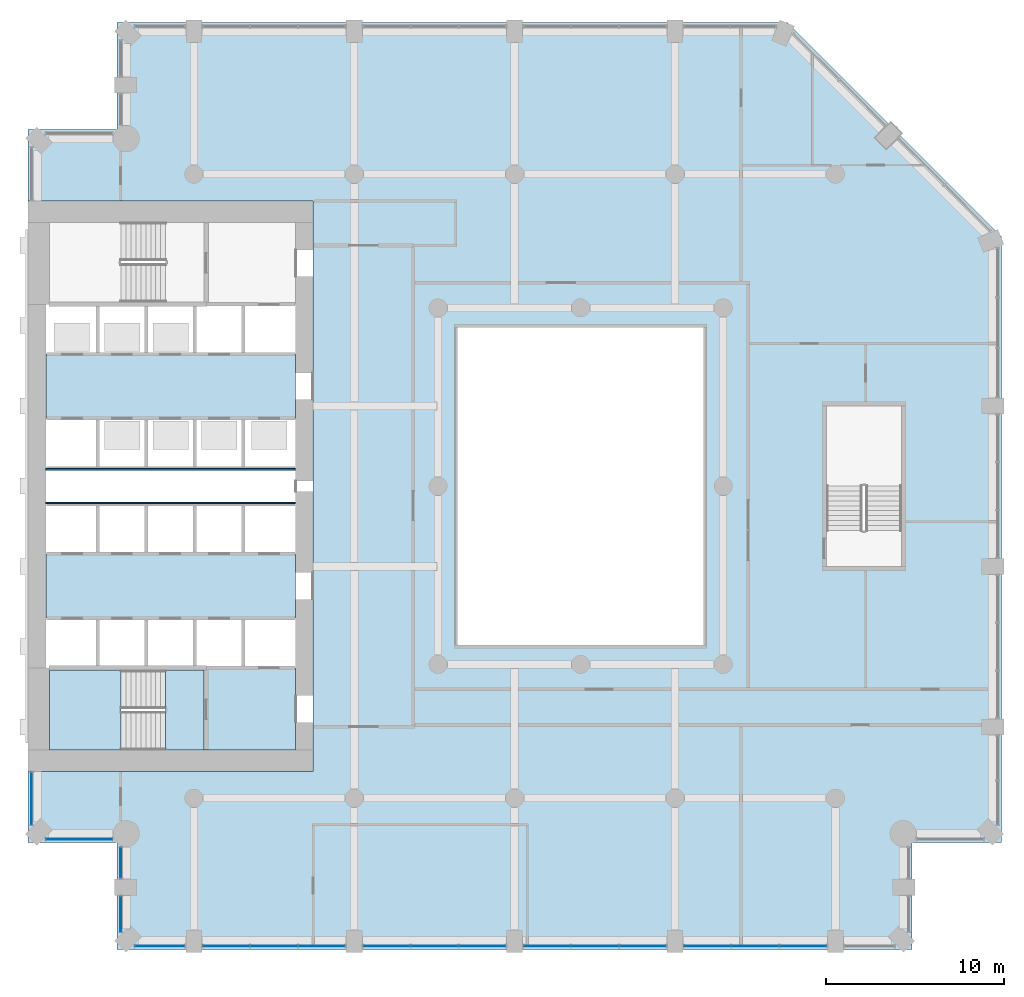
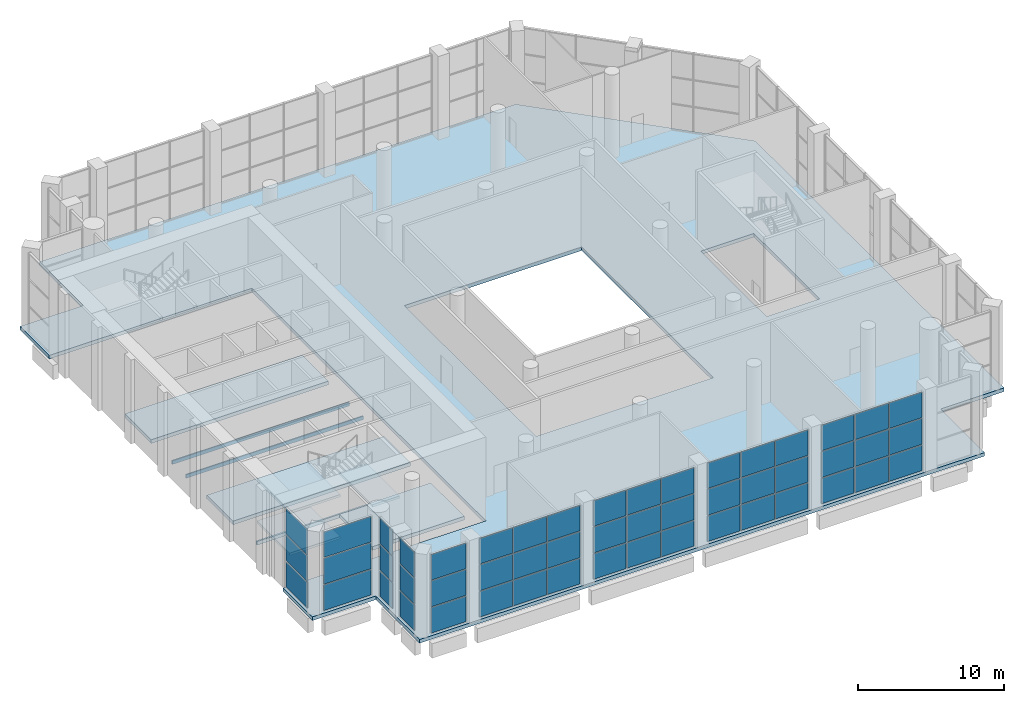
# One storey, part 9 of 22: 51 plates, 10 slabs, 10 elements without a shape of their own.
"""IFC4 building model written with IfcOpenShell, lengths in metres."""

from ifc_helpers import new_model, si_unit, direction, frame, origin, origin_2d, place, context, subcontext, project, spatial, polyline, rectangle, outline, extrude, material, layer, layer_set, type_object, element, aggregate, save


model = new_model("IFC4")

# Units and contexts
model_context = context("Model", 3, precision=1e-05, world=origin(), true_north=direction((0.0, 1.0)))
body_context = subcontext(model_context, "Body", "Model", "MODEL_VIEW")
ifc_project = project(units=[si_unit("LENGTHUNIT", "METRE"), si_unit("AREAUNIT", "SQUARE_METRE"), si_unit("VOLUMEUNIT", "CUBIC_METRE"), si_unit("PLANEANGLEUNIT", "RADIAN"), si_unit("MASSUNIT", "GRAM", prefix="KILO")], contexts=[model_context])

# Site, building, storey
site_placement = place(None, origin())
site = spatial("IfcSite", under=ifc_project, at=site_placement, CompositionType="ELEMENT")
building_placement = place(site_placement, origin())
building = spatial("IfcBuilding", under=site, at=building_placement, Name="Cypress Arch Tower", CompositionType="ELEMENT")
storey_placement = place(building_placement, frame((0.0, 0.0, 145.5)))
storey = spatial("IfcBuildingStorey", under=building, at=storey_placement, Name="L32", CompositionType="ELEMENT", Elevation=145.5)

# Slabs
ifc_material_1 = material(Name="Concrete C40/50", Category="concrete")
ifc_layer_1 = layer(ifc_material_1, 0.300048828125)
ifc_layer_set_1 = layer_set([ifc_layer_1], Name="Core floor CF300")
slab_type_1 = type_object("IfcSlabType", Name="Core floor CF300", PredefinedType="FLOOR", material=ifc_layer_set_1)
slab_1_placement = place(storey_placement, frame((0.0, 0.0, -0.300048828125)))
element("IfcSlab", 1, at=slab_1_placement, inside=storey, type_object=slab_type_1, Name="Core floor", PredefinedType="FLOOR", context=body_context, shape_type="SweptSolid", body=[
    extrude(outline(polyline([(-20.125, -14.800048828125), (-15.0, -14.800048828125), (-15.0, -10.199951171875), (-17.919921875, -10.199951171875), (-20.639892578125, -10.199951171875), (-23.360107421875, -10.199951171875), (-26.080078125, -10.199951171875), (-28.800048828125, -10.199951171875), (-28.800048828125, -10.324951171875), (-22.27490234375, -10.324951171875), (-20.125, -10.324951171875), (-20.125, -14.800048828125)])), origin(), (0.0, 0.0, 1.0), 0.300048828125),
])
slab_2_placement = place(storey_placement, frame((0.0, 0.0, -0.300048828125)))
element("IfcSlab", 2, at=slab_2_placement, inside=storey, type_object=slab_type_1, Name="Core floor", PredefinedType="FLOOR", context=body_context, shape_type="SweptSolid", body=[
    extrude(outline(polyline([(-29.0, -3.800048828125), (-29.0, -7.39990234375), (-26.080078125, -7.39990234375), (-23.360107421875, -7.39990234375), (-20.639892578125, -7.39990234375), (-17.919921875, -7.39990234375), (-15.0, -7.39990234375), (-15.0, -3.800048828125), (-17.919921875, -3.800048828125), (-20.639892578125, -3.800048828125), (-23.360107421875, -3.800048828125), (-26.080078125, -3.800048828125), (-29.0, -3.800048828125)])), origin(), (0.0, 0.0, 1.0), 0.300048828125),
])
slab_3_placement = place(storey_placement, frame((0.0, 0.0, -0.300048828125)))
element("IfcSlab", 3, at=slab_3_placement, inside=storey, type_object=slab_type_1, Name="Core floor", PredefinedType="FLOOR", context=body_context, shape_type="SweptSolid", body=[
    extrude(outline(polyline([(-17.919921875, 1.0), (-15.39990234375, 1.0), (-15.0, 1.0), (-15.0, 0.89990234375), (-28.60009765625, 0.89990234375), (-29.0, 0.89990234375), (-29.0, 1.0), (-28.60009765625, 1.0), (-26.080078125, 1.0), (-23.360107421875, 1.0), (-20.639892578125, 1.0), (-17.919921875, 1.0)])), origin(), (0.0, 0.0, 1.0), 0.300048828125),
])
slab_4_placement = place(storey_placement, frame((0.0, 0.0, -0.300048828125)))
element("IfcSlab", 4, at=slab_4_placement, inside=storey, type_object=slab_type_1, Name="Core floor", PredefinedType="FLOOR", context=body_context, shape_type="SweptSolid", body=[
    extrude(outline(polyline([(-29.0, 7.39990234375), (-29.0, 3.800048828125), (-26.080078125, 3.800048828125), (-23.360107421875, 3.800048828125), (-20.639892578125, 3.800048828125), (-17.919921875, 3.800048828125), (-15.0, 3.800048828125), (-15.0, 7.39990234375), (-17.919921875, 7.39990234375), (-20.639892578125, 7.39990234375), (-23.360107421875, 7.39990234375), (-26.080078125, 7.39990234375), (-29.0, 7.39990234375)])), origin(), (0.0, 0.0, 1.0), 0.300048828125),
])
slab_5_placement = place(storey_placement, frame((0.0, 0.0, -0.300048828125)))
element("IfcSlab", 5, at=slab_5_placement, inside=storey, type_object=slab_type_1, Name="Core floor", PredefinedType="FLOOR", context=body_context, shape_type="SweptSolid", body=[
    extrude(outline(polyline([(-22.27490234375, -10.324951171875), (-22.27490234375, -14.800048828125), (-20.125, -14.800048828125), (-20.125, -10.324951171875), (-22.27490234375, -10.324951171875)])), origin(), (0.0, 0.0, 1.0), 0.300048828125),
])
slab_6_placement = place(storey_placement, frame((0.0, 0.0, -0.300048828125)))
element("IfcSlab", 6, at=slab_6_placement, inside=storey, type_object=slab_type_1, Name="Core floor", PredefinedType="FLOOR", context=body_context, shape_type="SweptSolid", body=[
    extrude(outline(polyline([(-20.639892578125, -1.0), (-23.360107421875, -1.0), (-26.080078125, -1.0), (-28.60009765625, -1.0), (-29.0, -1.0), (-29.0, -0.89990234375), (-28.60009765625, -0.89990234375), (-15.39990234375, -0.89990234375), (-15.0, -0.89990234375), (-15.0, -1.0), (-15.39990234375, -1.0), (-17.919921875, -1.0), (-20.639892578125, -1.0)])), origin(), (0.0, 0.0, 1.0), 0.300048828125),
])

# Curtain wall, plates
ifc_material_2 = material(Name="Anodised aluminium, bronze finish, solar control laminated double glazing", Category="aluminium")
curtain_wall_type = type_object("IfcCurtainWallType", Name="Curtain wall CW3 sky lobby glazing", PredefinedType="NOTDEFINED", material=ifc_material_2)
curtain_wall_1_placement = place(storey_placement, origin())
curtain_wall_1 = element("IfcCurtainWall", 7, at=curtain_wall_1_placement, inside=storey, type_object=curtain_wall_type, Name="Curtain wall L32 A00.0.1.1", PredefinedType="NOTDEFINED")
ifc_material_3 = material(Name="Solar control laminated double glazing", Category="glass")
ifc_layer_2 = layer(ifc_material_3, 0.0439453125)
ifc_layer_set_2 = layer_set([ifc_layer_2], Name="Glass panel CW3 44")
plate_type = type_object("IfcPlateType", Name="Glass panel CW3 44", PredefinedType="CURTAIN_PANEL", material=ifc_layer_set_2)
plate_1_placement = place(storey_placement, frame((-29.800048828125, -17.53173828125, 0.0751953125), z_axis=(0.0, 0.0, 1.0), x_axis=(0.0, -1.0, 0.0)))
plate_1 = element("IfcPlate", 8, at=plate_1_placement, type_object=plate_type, Name="CW3 panel 1.1", PredefinedType="CURTAIN_PANEL", context=body_context, shape_type="SweptSolid", body=[
    extrude(rectangle(XDim=2.91357421875, YDim=0.0439453125, at=origin_2d()), origin(), (0.0, 0.0, 1.0), 2.120849609375),
])
plate_2_placement = place(storey_placement, frame((-29.800048828125, -17.53173828125, 2.27099609375), z_axis=(0.0, 0.0, 1.0), x_axis=(0.0, -1.0, 0.0)))
plate_2 = element("IfcPlate", 9, at=plate_2_placement, type_object=plate_type, Name="CW3 panel 1.2", PredefinedType="CURTAIN_PANEL", context=body_context, shape_type="SweptSolid", body=[
    extrude(rectangle(XDim=2.91357421875, YDim=0.0439453125, at=origin_2d()), origin(), (0.0, 0.0, 1.0), 2.158447265625),
])
plate_3_placement = place(storey_placement, frame((-29.800048828125, -17.53173828125, 4.50439453125), z_axis=(0.0, 0.0, 1.0), x_axis=(0.0, -1.0, 0.0)))
plate_3 = element("IfcPlate", 10, at=plate_3_placement, type_object=plate_type, Name="CW3 panel 1.3", PredefinedType="CURTAIN_PANEL", context=body_context, shape_type="SweptSolid", body=[
    extrude(rectangle(XDim=2.91357421875, YDim=0.0439453125, at=origin_2d()), origin(), (0.0, 0.0, 1.0), 2.120849609375),
])
aggregate(curtain_wall_1, [plate_1, plate_2, plate_3])

curtain_wall_2_placement = place(storey_placement, origin())
curtain_wall_2 = element("IfcCurtainWall", 11, at=curtain_wall_2_placement, inside=storey, type_object=curtain_wall_type, Name="Curtain wall L32 A01.0.1", PredefinedType="NOTDEFINED")
plate_4_placement = place(storey_placement, frame((-27.13525390625, -19.800048828125, 0.0751953125), z_axis=(0.0, 0.0, 1.0), x_axis=(1.0, 0.0, 0.0)))
plate_4 = element("IfcPlate", 12, at=plate_4_placement, type_object=plate_type, Name="CW3 panel 1.1", PredefinedType="CURTAIN_PANEL", context=body_context, shape_type="SweptSolid", body=[
    extrude(rectangle(XDim=3.70654296875, YDim=0.0439453125, at=origin_2d()), origin(), (0.0, 0.0, 1.0), 2.120849609375),
])
plate_5_placement = place(storey_placement, frame((-27.13525390625, -19.800048828125, 2.27099609375), z_axis=(0.0, 0.0, 1.0), x_axis=(1.0, 0.0, 0.0)))
plate_5 = element("IfcPlate", 13, at=plate_5_placement, type_object=plate_type, Name="CW3 panel 1.2", PredefinedType="CURTAIN_PANEL", context=body_context, shape_type="SweptSolid", body=[
    extrude(rectangle(XDim=3.70654296875, YDim=0.0439453125, at=origin_2d()), origin(), (0.0, 0.0, 1.0), 2.158447265625),
])
plate_6_placement = place(storey_placement, frame((-27.13525390625, -19.800048828125, 4.50439453125), z_axis=(0.0, 0.0, 1.0), x_axis=(1.0, 0.0, 0.0)))
plate_6 = element("IfcPlate", 14, at=plate_6_placement, type_object=plate_type, Name="CW3 panel 1.3", PredefinedType="CURTAIN_PANEL", context=body_context, shape_type="SweptSolid", body=[
    extrude(rectangle(XDim=3.70654296875, YDim=0.0439453125, at=origin_2d()), origin(), (0.0, 0.0, 1.0), 2.120849609375),
])
aggregate(curtain_wall_2, [plate_4, plate_5, plate_6])

curtain_wall_3_placement = place(storey_placement, origin())
curtain_wall_3 = element("IfcCurtainWall", 15, at=curtain_wall_3_placement, inside=storey, type_object=curtain_wall_type, Name="Curtain wall L32 A02.0.1", PredefinedType="NOTDEFINED")
plate_7_placement = place(storey_placement, frame((-24.800048828125, -21.12841796875, 0.0751953125), z_axis=(0.0, 0.0, 1.0), x_axis=(0.0, -1.0, 0.0)))
plate_7 = element("IfcPlate", 16, at=plate_7_placement, type_object=plate_type, Name="CW3 panel 1.1", PredefinedType="CURTAIN_PANEL", context=body_context, shape_type="SweptSolid", body=[
    extrude(rectangle(XDim=1.693115234375, YDim=0.0439453125, at=origin_2d()), origin(), (0.0, 0.0, 1.0), 2.120849609375),
])
plate_8_placement = place(storey_placement, frame((-24.800048828125, -21.12841796875, 2.27099609375), z_axis=(0.0, 0.0, 1.0), x_axis=(0.0, -1.0, 0.0)))
plate_8 = element("IfcPlate", 17, at=plate_8_placement, type_object=plate_type, Name="CW3 panel 1.2", PredefinedType="CURTAIN_PANEL", context=body_context, shape_type="SweptSolid", body=[
    extrude(rectangle(XDim=1.693115234375, YDim=0.0439453125, at=origin_2d()), origin(), (0.0, 0.0, 1.0), 2.158447265625),
])
plate_9_placement = place(storey_placement, frame((-24.800048828125, -21.12841796875, 4.50439453125), z_axis=(0.0, 0.0, 1.0), x_axis=(0.0, -1.0, 0.0)))
plate_9 = element("IfcPlate", 18, at=plate_9_placement, type_object=plate_type, Name="CW3 panel 1.3", PredefinedType="CURTAIN_PANEL", context=body_context, shape_type="SweptSolid", body=[
    extrude(rectangle(XDim=1.693115234375, YDim=0.0439453125, at=origin_2d()), origin(), (0.0, 0.0, 1.0), 2.120849609375),
])
aggregate(curtain_wall_3, [plate_7, plate_8, plate_9])

curtain_wall_4_placement = place(storey_placement, origin())
curtain_wall_4 = element("IfcCurtainWall", 19, at=curtain_wall_4_placement, inside=storey, type_object=curtain_wall_type, Name="Curtain wall L32 A02.1.1", PredefinedType="NOTDEFINED")
plate_10_placement = place(storey_placement, frame((-24.800048828125, -24.0068359375, 0.0751953125), z_axis=(0.0, 0.0, 1.0), x_axis=(0.0, -1.0, 0.0)))
plate_10 = element("IfcPlate", 20, at=plate_10_placement, type_object=plate_type, Name="CW3 panel 1.1", PredefinedType="CURTAIN_PANEL", context=body_context, shape_type="SweptSolid", body=[
    extrude(rectangle(XDim=1.963623046875, YDim=0.0439453125, at=origin_2d()), origin(), (0.0, 0.0, 1.0), 2.120849609375),
])
plate_11_placement = place(storey_placement, frame((-24.800048828125, -24.0068359375, 2.27099609375), z_axis=(0.0, 0.0, 1.0), x_axis=(0.0, -1.0, 0.0)))
plate_11 = element("IfcPlate", 21, at=plate_11_placement, type_object=plate_type, Name="CW3 panel 1.2", PredefinedType="CURTAIN_PANEL", context=body_context, shape_type="SweptSolid", body=[
    extrude(rectangle(XDim=1.963623046875, YDim=0.0439453125, at=origin_2d()), origin(), (0.0, 0.0, 1.0), 2.158447265625),
])
plate_12_placement = place(storey_placement, frame((-24.800048828125, -24.0068359375, 4.50439453125), z_axis=(0.0, 0.0, 1.0), x_axis=(0.0, -1.0, 0.0)))
plate_12 = element("IfcPlate", 22, at=plate_12_placement, type_object=plate_type, Name="CW3 panel 1.3", PredefinedType="CURTAIN_PANEL", context=body_context, shape_type="SweptSolid", body=[
    extrude(rectangle(XDim=1.963623046875, YDim=0.0439453125, at=origin_2d()), origin(), (0.0, 0.0, 1.0), 2.120849609375),
])
aggregate(curtain_wall_4, [plate_10, plate_11, plate_12])

curtain_wall_5_placement = place(storey_placement, origin())
curtain_wall_5 = element("IfcCurtainWall", 23, at=curtain_wall_5_placement, inside=storey, type_object=curtain_wall_type, Name="Curtain wall L32 A03.0.1", PredefinedType="NOTDEFINED")
plate_13_placement = place(storey_placement, frame((-22.606689453125, -25.800048828125, 0.0751953125), z_axis=(0.0, 0.0, 1.0), x_axis=(1.0, 0.0, 0.0)))
plate_13 = element("IfcPlate", 24, at=plate_13_placement, type_object=plate_type, Name="CW3 panel 1.1", PredefinedType="CURTAIN_PANEL", context=body_context, shape_type="SweptSolid", body=[
    extrude(rectangle(XDim=2.763671875, YDim=0.0439453125, at=origin_2d()), origin(), (0.0, 0.0, 1.0), 2.120849609375),
])
plate_14_placement = place(storey_placement, frame((-22.606689453125, -25.800048828125, 2.27099609375), z_axis=(0.0, 0.0, 1.0), x_axis=(1.0, 0.0, 0.0)))
plate_14 = element("IfcPlate", 25, at=plate_14_placement, type_object=plate_type, Name="CW3 panel 1.2", PredefinedType="CURTAIN_PANEL", context=body_context, shape_type="SweptSolid", body=[
    extrude(rectangle(XDim=2.763671875, YDim=0.0439453125, at=origin_2d()), origin(), (0.0, 0.0, 1.0), 2.158447265625),
])
plate_15_placement = place(storey_placement, frame((-22.606689453125, -25.800048828125, 4.50439453125), z_axis=(0.0, 0.0, 1.0), x_axis=(1.0, 0.0, 0.0)))
plate_15 = element("IfcPlate", 26, at=plate_15_placement, type_object=plate_type, Name="CW3 panel 1.3", PredefinedType="CURTAIN_PANEL", context=body_context, shape_type="SweptSolid", body=[
    extrude(rectangle(XDim=2.763671875, YDim=0.0439453125, at=origin_2d()), origin(), (0.0, 0.0, 1.0), 2.120849609375),
])
aggregate(curtain_wall_5, [plate_13, plate_14, plate_15])

curtain_wall_6_placement = place(storey_placement, origin())
curtain_wall_6 = element("IfcCurtainWall", 27, at=curtain_wall_6_placement, inside=storey, type_object=curtain_wall_type, Name="Curtain wall L32 A03.1.1", PredefinedType="NOTDEFINED")
plate_16_placement = place(storey_placement, frame((-18.88134765625, -25.800048828125, 0.0751953125), z_axis=(0.0, 0.0, 1.0), x_axis=(1.0, 0.0, 0.0)))
plate_16 = element("IfcPlate", 28, at=plate_16_placement, type_object=plate_type, Name="CW3 panel 1.1", PredefinedType="CURTAIN_PANEL", context=body_context, shape_type="SweptSolid", body=[
    extrude(rectangle(XDim=2.58740234375, YDim=0.0439453125, at=origin_2d()), origin(), (0.0, 0.0, 1.0), 2.120849609375),
])
plate_17_placement = place(storey_placement, frame((-18.88134765625, -25.800048828125, 2.27099609375), z_axis=(0.0, 0.0, 1.0), x_axis=(1.0, 0.0, 0.0)))
plate_17 = element("IfcPlate", 29, at=plate_17_placement, type_object=plate_type, Name="CW3 panel 1.2", PredefinedType="CURTAIN_PANEL", context=body_context, shape_type="SweptSolid", body=[
    extrude(rectangle(XDim=2.58740234375, YDim=0.0439453125, at=origin_2d()), origin(), (0.0, 0.0, 1.0), 2.158447265625),
])
plate_18_placement = place(storey_placement, frame((-18.88134765625, -25.800048828125, 4.50439453125), z_axis=(0.0, 0.0, 1.0), x_axis=(1.0, 0.0, 0.0)))
plate_18 = element("IfcPlate", 30, at=plate_18_placement, type_object=plate_type, Name="CW3 panel 1.3", PredefinedType="CURTAIN_PANEL", context=body_context, shape_type="SweptSolid", body=[
    extrude(rectangle(XDim=2.58740234375, YDim=0.0439453125, at=origin_2d()), origin(), (0.0, 0.0, 1.0), 2.120849609375),
])
plate_19_placement = place(storey_placement, frame((-16.199951171875, -25.800048828125, 0.0751953125), z_axis=(0.0, 0.0, 1.0), x_axis=(1.0, 0.0, 0.0)))
plate_19 = element("IfcPlate", 31, at=plate_19_placement, type_object=plate_type, Name="CW3 panel 2.1", PredefinedType="CURTAIN_PANEL", context=body_context, shape_type="SweptSolid", body=[
    extrude(rectangle(XDim=2.625, YDim=0.0439453125, at=origin_2d()), origin(), (0.0, 0.0, 1.0), 2.120849609375),
])
plate_20_placement = place(storey_placement, frame((-16.199951171875, -25.800048828125, 2.27099609375), z_axis=(0.0, 0.0, 1.0), x_axis=(1.0, 0.0, 0.0)))
plate_20 = element("IfcPlate", 32, at=plate_20_placement, type_object=plate_type, Name="CW3 panel 2.2", PredefinedType="CURTAIN_PANEL", context=body_context, shape_type="SweptSolid", body=[
    extrude(rectangle(XDim=2.625, YDim=0.0439453125, at=origin_2d()), origin(), (0.0, 0.0, 1.0), 2.158447265625),
])
plate_21_placement = place(storey_placement, frame((-16.199951171875, -25.800048828125, 4.50439453125), z_axis=(0.0, 0.0, 1.0), x_axis=(1.0, 0.0, 0.0)))
plate_21 = element("IfcPlate", 33, at=plate_21_placement, type_object=plate_type, Name="CW3 panel 2.3", PredefinedType="CURTAIN_PANEL", context=body_context, shape_type="SweptSolid", body=[
    extrude(rectangle(XDim=2.625, YDim=0.0439453125, at=origin_2d()), origin(), (0.0, 0.0, 1.0), 2.120849609375),
])
plate_22_placement = place(storey_placement, frame((-13.518798828125, -25.800048828125, 0.0751953125), z_axis=(0.0, 0.0, 1.0), x_axis=(1.0, 0.0, 0.0)))
plate_22 = element("IfcPlate", 34, at=plate_22_placement, type_object=plate_type, Name="CW3 panel 3.1", PredefinedType="CURTAIN_PANEL", context=body_context, shape_type="SweptSolid", body=[
    extrude(rectangle(XDim=2.58740234375, YDim=0.0439453125, at=origin_2d()), origin(), (0.0, 0.0, 1.0), 2.120849609375),
])
plate_23_placement = place(storey_placement, frame((-13.518798828125, -25.800048828125, 2.27099609375), z_axis=(0.0, 0.0, 1.0), x_axis=(1.0, 0.0, 0.0)))
plate_23 = element("IfcPlate", 35, at=plate_23_placement, type_object=plate_type, Name="CW3 panel 3.2", PredefinedType="CURTAIN_PANEL", context=body_context, shape_type="SweptSolid", body=[
    extrude(rectangle(XDim=2.58740234375, YDim=0.0439453125, at=origin_2d()), origin(), (0.0, 0.0, 1.0), 2.158447265625),
])
plate_24_placement = place(storey_placement, frame((-13.518798828125, -25.800048828125, 4.50439453125), z_axis=(0.0, 0.0, 1.0), x_axis=(1.0, 0.0, 0.0)))
plate_24 = element("IfcPlate", 36, at=plate_24_placement, type_object=plate_type, Name="CW3 panel 3.3", PredefinedType="CURTAIN_PANEL", context=body_context, shape_type="SweptSolid", body=[
    extrude(rectangle(XDim=2.58740234375, YDim=0.0439453125, at=origin_2d()), origin(), (0.0, 0.0, 1.0), 2.120849609375),
])
aggregate(curtain_wall_6, [plate_16, plate_17, plate_18, plate_19, plate_20, plate_21, plate_22, plate_23, plate_24])

curtain_wall_7_placement = place(storey_placement, origin())
curtain_wall_7 = element("IfcCurtainWall", 37, at=curtain_wall_7_placement, inside=storey, type_object=curtain_wall_type, Name="Curtain wall L32 A03.2.1", PredefinedType="NOTDEFINED")
plate_25_placement = place(storey_placement, frame((-9.88134765625, -25.800048828125, 0.0751953125), z_axis=(0.0, 0.0, 1.0), x_axis=(1.0, 0.0, 0.0)))
plate_25 = element("IfcPlate", 38, at=plate_25_placement, type_object=plate_type, Name="CW3 panel 1.1", PredefinedType="CURTAIN_PANEL", context=body_context, shape_type="SweptSolid", body=[
    extrude(rectangle(XDim=2.58740234375, YDim=0.0439453125, at=origin_2d()), origin(), (0.0, 0.0, 1.0), 2.120849609375),
])
plate_26_placement = place(storey_placement, frame((-9.88134765625, -25.800048828125, 2.27099609375), z_axis=(0.0, 0.0, 1.0), x_axis=(1.0, 0.0, 0.0)))
plate_26 = element("IfcPlate", 39, at=plate_26_placement, type_object=plate_type, Name="CW3 panel 1.2", PredefinedType="CURTAIN_PANEL", context=body_context, shape_type="SweptSolid", body=[
    extrude(rectangle(XDim=2.58740234375, YDim=0.0439453125, at=origin_2d()), origin(), (0.0, 0.0, 1.0), 2.158447265625),
])
plate_27_placement = place(storey_placement, frame((-9.88134765625, -25.800048828125, 4.50439453125), z_axis=(0.0, 0.0, 1.0), x_axis=(1.0, 0.0, 0.0)))
plate_27 = element("IfcPlate", 40, at=plate_27_placement, type_object=plate_type, Name="CW3 panel 1.3", PredefinedType="CURTAIN_PANEL", context=body_context, shape_type="SweptSolid", body=[
    extrude(rectangle(XDim=2.58740234375, YDim=0.0439453125, at=origin_2d()), origin(), (0.0, 0.0, 1.0), 2.120849609375),
])
plate_28_placement = place(storey_placement, frame((-7.199951171875, -25.800048828125, 0.0751953125), z_axis=(0.0, 0.0, 1.0), x_axis=(1.0, 0.0, 0.0)))
plate_28 = element("IfcPlate", 41, at=plate_28_placement, type_object=plate_type, Name="CW3 panel 2.1", PredefinedType="CURTAIN_PANEL", context=body_context, shape_type="SweptSolid", body=[
    extrude(rectangle(XDim=2.625, YDim=0.0439453125, at=origin_2d()), origin(), (0.0, 0.0, 1.0), 2.120849609375),
])
plate_29_placement = place(storey_placement, frame((-7.199951171875, -25.800048828125, 2.27099609375), z_axis=(0.0, 0.0, 1.0), x_axis=(1.0, 0.0, 0.0)))
plate_29 = element("IfcPlate", 42, at=plate_29_placement, type_object=plate_type, Name="CW3 panel 2.2", PredefinedType="CURTAIN_PANEL", context=body_context, shape_type="SweptSolid", body=[
    extrude(rectangle(XDim=2.625, YDim=0.0439453125, at=origin_2d()), origin(), (0.0, 0.0, 1.0), 2.158447265625),
])
plate_30_placement = place(storey_placement, frame((-7.199951171875, -25.800048828125, 4.50439453125), z_axis=(0.0, 0.0, 1.0), x_axis=(1.0, 0.0, 0.0)))
plate_30 = element("IfcPlate", 43, at=plate_30_placement, type_object=plate_type, Name="CW3 panel 2.3", PredefinedType="CURTAIN_PANEL", context=body_context, shape_type="SweptSolid", body=[
    extrude(rectangle(XDim=2.625, YDim=0.0439453125, at=origin_2d()), origin(), (0.0, 0.0, 1.0), 2.120849609375),
])
plate_31_placement = place(storey_placement, frame((-4.518798828125, -25.800048828125, 0.0751953125), z_axis=(0.0, 0.0, 1.0), x_axis=(1.0, 0.0, 0.0)))
plate_31 = element("IfcPlate", 44, at=plate_31_placement, type_object=plate_type, Name="CW3 panel 3.1", PredefinedType="CURTAIN_PANEL", context=body_context, shape_type="SweptSolid", body=[
    extrude(rectangle(XDim=2.58740234375, YDim=0.0439453125, at=origin_2d()), origin(), (0.0, 0.0, 1.0), 2.120849609375),
])
plate_32_placement = place(storey_placement, frame((-4.518798828125, -25.800048828125, 2.27099609375), z_axis=(0.0, 0.0, 1.0), x_axis=(1.0, 0.0, 0.0)))
plate_32 = element("IfcPlate", 45, at=plate_32_placement, type_object=plate_type, Name="CW3 panel 3.2", PredefinedType="CURTAIN_PANEL", context=body_context, shape_type="SweptSolid", body=[
    extrude(rectangle(XDim=2.58740234375, YDim=0.0439453125, at=origin_2d()), origin(), (0.0, 0.0, 1.0), 2.158447265625),
])
plate_33_placement = place(storey_placement, frame((-4.518798828125, -25.800048828125, 4.50439453125), z_axis=(0.0, 0.0, 1.0), x_axis=(1.0, 0.0, 0.0)))
plate_33 = element("IfcPlate", 46, at=plate_33_placement, type_object=plate_type, Name="CW3 panel 3.3", PredefinedType="CURTAIN_PANEL", context=body_context, shape_type="SweptSolid", body=[
    extrude(rectangle(XDim=2.58740234375, YDim=0.0439453125, at=origin_2d()), origin(), (0.0, 0.0, 1.0), 2.120849609375),
])
aggregate(curtain_wall_7, [plate_25, plate_26, plate_27, plate_28, plate_29, plate_30, plate_31, plate_32, plate_33])

curtain_wall_8_placement = place(storey_placement, origin())
curtain_wall_8 = element("IfcCurtainWall", 47, at=curtain_wall_8_placement, inside=storey, type_object=curtain_wall_type, Name="Curtain wall L32 A03.3.1", PredefinedType="NOTDEFINED")
plate_34_placement = place(storey_placement, frame((-0.88134765625, -25.800048828125, 0.0751953125), z_axis=(0.0, 0.0, 1.0), x_axis=(1.0, 0.0, 0.0)))
plate_34 = element("IfcPlate", 48, at=plate_34_placement, type_object=plate_type, Name="CW3 panel 1.1", PredefinedType="CURTAIN_PANEL", context=body_context, shape_type="SweptSolid", body=[
    extrude(rectangle(XDim=2.58740234375, YDim=0.0439453125, at=origin_2d()), origin(), (0.0, 0.0, 1.0), 2.120849609375),
])
plate_35_placement = place(storey_placement, frame((-0.88134765625, -25.800048828125, 2.27099609375), z_axis=(0.0, 0.0, 1.0), x_axis=(1.0, 0.0, 0.0)))
plate_35 = element("IfcPlate", 49, at=plate_35_placement, type_object=plate_type, Name="CW3 panel 1.2", PredefinedType="CURTAIN_PANEL", context=body_context, shape_type="SweptSolid", body=[
    extrude(rectangle(XDim=2.58740234375, YDim=0.0439453125, at=origin_2d()), origin(), (0.0, 0.0, 1.0), 2.158447265625),
])
plate_36_placement = place(storey_placement, frame((-0.88134765625, -25.800048828125, 4.50439453125), z_axis=(0.0, 0.0, 1.0), x_axis=(1.0, 0.0, 0.0)))
plate_36 = element("IfcPlate", 50, at=plate_36_placement, type_object=plate_type, Name="CW3 panel 1.3", PredefinedType="CURTAIN_PANEL", context=body_context, shape_type="SweptSolid", body=[
    extrude(rectangle(XDim=2.58740234375, YDim=0.0439453125, at=origin_2d()), origin(), (0.0, 0.0, 1.0), 2.120849609375),
])
plate_37_placement = place(storey_placement, frame((1.800048828125, -25.800048828125, 0.0751953125), z_axis=(0.0, 0.0, 1.0), x_axis=(1.0, 0.0, 0.0)))
plate_37 = element("IfcPlate", 51, at=plate_37_placement, type_object=plate_type, Name="CW3 panel 2.1", PredefinedType="CURTAIN_PANEL", context=body_context, shape_type="SweptSolid", body=[
    extrude(rectangle(XDim=2.625, YDim=0.0439453125, at=origin_2d()), origin(), (0.0, 0.0, 1.0), 2.120849609375),
])
plate_38_placement = place(storey_placement, frame((1.800048828125, -25.800048828125, 2.27099609375), z_axis=(0.0, 0.0, 1.0), x_axis=(1.0, 0.0, 0.0)))
plate_38 = element("IfcPlate", 52, at=plate_38_placement, type_object=plate_type, Name="CW3 panel 2.2", PredefinedType="CURTAIN_PANEL", context=body_context, shape_type="SweptSolid", body=[
    extrude(rectangle(XDim=2.625, YDim=0.0439453125, at=origin_2d()), origin(), (0.0, 0.0, 1.0), 2.158447265625),
])
plate_39_placement = place(storey_placement, frame((1.800048828125, -25.800048828125, 4.50439453125), z_axis=(0.0, 0.0, 1.0), x_axis=(1.0, 0.0, 0.0)))
plate_39 = element("IfcPlate", 53, at=plate_39_placement, type_object=plate_type, Name="CW3 panel 2.3", PredefinedType="CURTAIN_PANEL", context=body_context, shape_type="SweptSolid", body=[
    extrude(rectangle(XDim=2.625, YDim=0.0439453125, at=origin_2d()), origin(), (0.0, 0.0, 1.0), 2.120849609375),
])
plate_40_placement = place(storey_placement, frame((4.481201171875, -25.800048828125, 0.0751953125), z_axis=(0.0, 0.0, 1.0), x_axis=(1.0, 0.0, 0.0)))
plate_40 = element("IfcPlate", 54, at=plate_40_placement, type_object=plate_type, Name="CW3 panel 3.1", PredefinedType="CURTAIN_PANEL", context=body_context, shape_type="SweptSolid", body=[
    extrude(rectangle(XDim=2.58740234375, YDim=0.0439453125, at=origin_2d()), origin(), (0.0, 0.0, 1.0), 2.120849609375),
])
plate_41_placement = place(storey_placement, frame((4.481201171875, -25.800048828125, 2.27099609375), z_axis=(0.0, 0.0, 1.0), x_axis=(1.0, 0.0, 0.0)))
plate_41 = element("IfcPlate", 55, at=plate_41_placement, type_object=plate_type, Name="CW3 panel 3.2", PredefinedType="CURTAIN_PANEL", context=body_context, shape_type="SweptSolid", body=[
    extrude(rectangle(XDim=2.58740234375, YDim=0.0439453125, at=origin_2d()), origin(), (0.0, 0.0, 1.0), 2.158447265625),
])
plate_42_placement = place(storey_placement, frame((4.481201171875, -25.800048828125, 4.50439453125), z_axis=(0.0, 0.0, 1.0), x_axis=(1.0, 0.0, 0.0)))
plate_42 = element("IfcPlate", 56, at=plate_42_placement, type_object=plate_type, Name="CW3 panel 3.3", PredefinedType="CURTAIN_PANEL", context=body_context, shape_type="SweptSolid", body=[
    extrude(rectangle(XDim=2.58740234375, YDim=0.0439453125, at=origin_2d()), origin(), (0.0, 0.0, 1.0), 2.120849609375),
])
aggregate(curtain_wall_8, [plate_34, plate_35, plate_36, plate_37, plate_38, plate_39, plate_40, plate_41, plate_42])

curtain_wall_9_placement = place(storey_placement, origin())
curtain_wall_9 = element("IfcCurtainWall", 57, at=curtain_wall_9_placement, inside=storey, type_object=curtain_wall_type, Name="Curtain wall L32 A03.4.1", PredefinedType="NOTDEFINED")
plate_43_placement = place(storey_placement, frame((8.11865234375, -25.800048828125, 0.0751953125), z_axis=(0.0, 0.0, 1.0), x_axis=(1.0, 0.0, 0.0)))
plate_43 = element("IfcPlate", 58, at=plate_43_placement, type_object=plate_type, Name="CW3 panel 1.1", PredefinedType="CURTAIN_PANEL", context=body_context, shape_type="SweptSolid", body=[
    extrude(rectangle(XDim=2.58740234375, YDim=0.0439453125, at=origin_2d()), origin(), (0.0, 0.0, 1.0), 2.120849609375),
])
plate_44_placement = place(storey_placement, frame((8.11865234375, -25.800048828125, 2.27099609375), z_axis=(0.0, 0.0, 1.0), x_axis=(1.0, 0.0, 0.0)))
plate_44 = element("IfcPlate", 59, at=plate_44_placement, type_object=plate_type, Name="CW3 panel 1.2", PredefinedType="CURTAIN_PANEL", context=body_context, shape_type="SweptSolid", body=[
    extrude(rectangle(XDim=2.58740234375, YDim=0.0439453125, at=origin_2d()), origin(), (0.0, 0.0, 1.0), 2.158447265625),
])
plate_45_placement = place(storey_placement, frame((8.11865234375, -25.800048828125, 4.50439453125), z_axis=(0.0, 0.0, 1.0), x_axis=(1.0, 0.0, 0.0)))
plate_45 = element("IfcPlate", 60, at=plate_45_placement, type_object=plate_type, Name="CW3 panel 1.3", PredefinedType="CURTAIN_PANEL", context=body_context, shape_type="SweptSolid", body=[
    extrude(rectangle(XDim=2.58740234375, YDim=0.0439453125, at=origin_2d()), origin(), (0.0, 0.0, 1.0), 2.120849609375),
])
plate_46_placement = place(storey_placement, frame((10.800048828125, -25.800048828125, 0.0751953125), z_axis=(0.0, 0.0, 1.0), x_axis=(1.0, 0.0, 0.0)))
plate_46 = element("IfcPlate", 61, at=plate_46_placement, type_object=plate_type, Name="CW3 panel 2.1", PredefinedType="CURTAIN_PANEL", context=body_context, shape_type="SweptSolid", body=[
    extrude(rectangle(XDim=2.625, YDim=0.0439453125, at=origin_2d()), origin(), (0.0, 0.0, 1.0), 2.120849609375),
])
plate_47_placement = place(storey_placement, frame((10.800048828125, -25.800048828125, 2.27099609375), z_axis=(0.0, 0.0, 1.0), x_axis=(1.0, 0.0, 0.0)))
plate_47 = element("IfcPlate", 62, at=plate_47_placement, type_object=plate_type, Name="CW3 panel 2.2", PredefinedType="CURTAIN_PANEL", context=body_context, shape_type="SweptSolid", body=[
    extrude(rectangle(XDim=2.625, YDim=0.0439453125, at=origin_2d()), origin(), (0.0, 0.0, 1.0), 2.158447265625),
])
plate_48_placement = place(storey_placement, frame((10.800048828125, -25.800048828125, 4.50439453125), z_axis=(0.0, 0.0, 1.0), x_axis=(1.0, 0.0, 0.0)))
plate_48 = element("IfcPlate", 63, at=plate_48_placement, type_object=plate_type, Name="CW3 panel 2.3", PredefinedType="CURTAIN_PANEL", context=body_context, shape_type="SweptSolid", body=[
    extrude(rectangle(XDim=2.625, YDim=0.0439453125, at=origin_2d()), origin(), (0.0, 0.0, 1.0), 2.120849609375),
])
plate_49_placement = place(storey_placement, frame((13.481201171875, -25.800048828125, 0.0751953125), z_axis=(0.0, 0.0, 1.0), x_axis=(1.0, 0.0, 0.0)))
plate_49 = element("IfcPlate", 64, at=plate_49_placement, type_object=plate_type, Name="CW3 panel 3.1", PredefinedType="CURTAIN_PANEL", context=body_context, shape_type="SweptSolid", body=[
    extrude(rectangle(XDim=2.58740234375, YDim=0.0439453125, at=origin_2d()), origin(), (0.0, 0.0, 1.0), 2.120849609375),
])
plate_50_placement = place(storey_placement, frame((13.481201171875, -25.800048828125, 2.27099609375), z_axis=(0.0, 0.0, 1.0), x_axis=(1.0, 0.0, 0.0)))
plate_50 = element("IfcPlate", 65, at=plate_50_placement, type_object=plate_type, Name="CW3 panel 3.2", PredefinedType="CURTAIN_PANEL", context=body_context, shape_type="SweptSolid", body=[
    extrude(rectangle(XDim=2.58740234375, YDim=0.0439453125, at=origin_2d()), origin(), (0.0, 0.0, 1.0), 2.158447265625),
])
plate_51_placement = place(storey_placement, frame((13.481201171875, -25.800048828125, 4.50439453125), z_axis=(0.0, 0.0, 1.0), x_axis=(1.0, 0.0, 0.0)))
plate_51 = element("IfcPlate", 66, at=plate_51_placement, type_object=plate_type, Name="CW3 panel 3.3", PredefinedType="CURTAIN_PANEL", context=body_context, shape_type="SweptSolid", body=[
    extrude(rectangle(XDim=2.58740234375, YDim=0.0439453125, at=origin_2d()), origin(), (0.0, 0.0, 1.0), 2.120849609375),
])
aggregate(curtain_wall_9, [plate_43, plate_44, plate_45, plate_46, plate_47, plate_48, plate_49, plate_50, plate_51])

# Slab
ifc_material_4 = material(Name="Concrete C40/50", Category="concrete")
ifc_layer_3 = layer(ifc_material_4, 0.300048828125)
ifc_layer_set_3 = layer_set([ifc_layer_3], Name="PT flat slab 300 Concrete C40/50")
slab_type_2 = type_object("IfcSlabType", Name="PT flat slab 300 Concrete C40/50", PredefinedType="FLOOR", material=ifc_layer_set_3)
slab_7_placement = place(storey_placement, frame((0.0, 0.0, -0.300048828125)))
element("IfcSlab", 67, at=slab_7_placement, inside=storey, type_object=slab_type_2, Name="Floor slab L32", PredefinedType="FLOOR", context=body_context, shape_type="SweptSolid", body=[
    extrude(outline(polyline([(-30.0, 20.0), (-25.0, 20.0), (-25.0, 26.0), (12.60009765625, 26.0), (24.60009765625, 14.0), (24.60009765625, -20.0), (19.60009765625, -20.0), (19.60009765625, -26.0), (-25.0, -26.0), (-25.0, -20.0), (-30.0, -20.0), (-30.0, -16.0), (-14.0, -16.0), (-14.0, 16.0), (-30.0, 16.0), (-30.0, 20.0)]), holes=[polyline([(-6.0, -9.0), (8.0, -9.0), (8.0, 9.0), (-6.0, 9.0), (-6.0, -9.0)]), polyline([(14.800048828125, -4.5), (19.0, -4.5), (19.0, 4.5), (14.800048828125, 4.5), (14.800048828125, -4.5)])]), origin(), (0.0, 0.0, 1.0), 0.300048828125),
])

# Stair, slabs
ifc_material_5 = material(Name="Concrete C40/50", Category="concrete")
stair_type = type_object("IfcStairType", Name="Exit stair ES1750-215", PredefinedType="HALF_TURN_STAIR", material=ifc_material_5)
stair_placement = place(storey_placement, origin())
stair = element("IfcStair", 68, at=stair_placement, inside=storey, type_object=stair_type, Name="L32 Exit stair A", PredefinedType="HALF_TURN_STAIR")
ifc_material_6 = material(Name="Concrete C40/50", Category="concrete")
ifc_layer_4 = layer(ifc_material_6, 0.199951171875)
ifc_layer_set_4 = layer_set([ifc_layer_4], Name="Stair landing SL200")
slab_type_3 = type_object("IfcSlabType", Name="Stair landing SL200", PredefinedType="LANDING", material=ifc_layer_set_4)
slab_8_placement = place(storey_placement, frame((0.0, 0.0, 1.550048828125)))
slab_8 = element("IfcSlab", 69, at=slab_8_placement, type_object=slab_type_3, Name="A landing 1", PredefinedType="LANDING", context=body_context, shape_type="SweptSolid", body=[
    extrude(outline(polyline([(-24.794921875, -10.324951171875), (-28.800048828125, -10.324951171875), (-28.800048828125, -14.800048828125), (-24.794921875, -14.800048828125), (-24.794921875, -10.324951171875)])), origin(), (0.0, 0.0, 1.0), 0.199951171875),
])
slab_9_placement = place(storey_placement, frame((0.0, 0.0, 3.300048828125)))
slab_9 = element("IfcSlab", 70, at=slab_9_placement, type_object=slab_type_3, Name="A landing 2", PredefinedType="LANDING", context=body_context, shape_type="SweptSolid", body=[
    extrude(outline(polyline([(-20.125, -10.324951171875), (-22.27490234375, -10.324951171875), (-22.27490234375, -14.800048828125), (-20.125, -14.800048828125), (-20.125, -10.324951171875)])), origin(), (0.0, 0.0, 1.0), 0.199951171875),
])
slab_10_placement = place(storey_placement, frame((0.0, 0.0, 5.050048828125)))
slab_10 = element("IfcSlab", 71, at=slab_10_placement, type_object=slab_type_3, Name="A landing 3", PredefinedType="LANDING", context=body_context, shape_type="SweptSolid", body=[
    extrude(outline(polyline([(-24.794921875, -10.324951171875), (-28.800048828125, -10.324951171875), (-28.800048828125, -14.800048828125), (-24.794921875, -14.800048828125), (-24.794921875, -10.324951171875)])), origin(), (0.0, 0.0, 1.0), 0.199951171875),
])
aggregate(stair, [slab_8, slab_9, slab_10])

save(model, "model.ifc")
